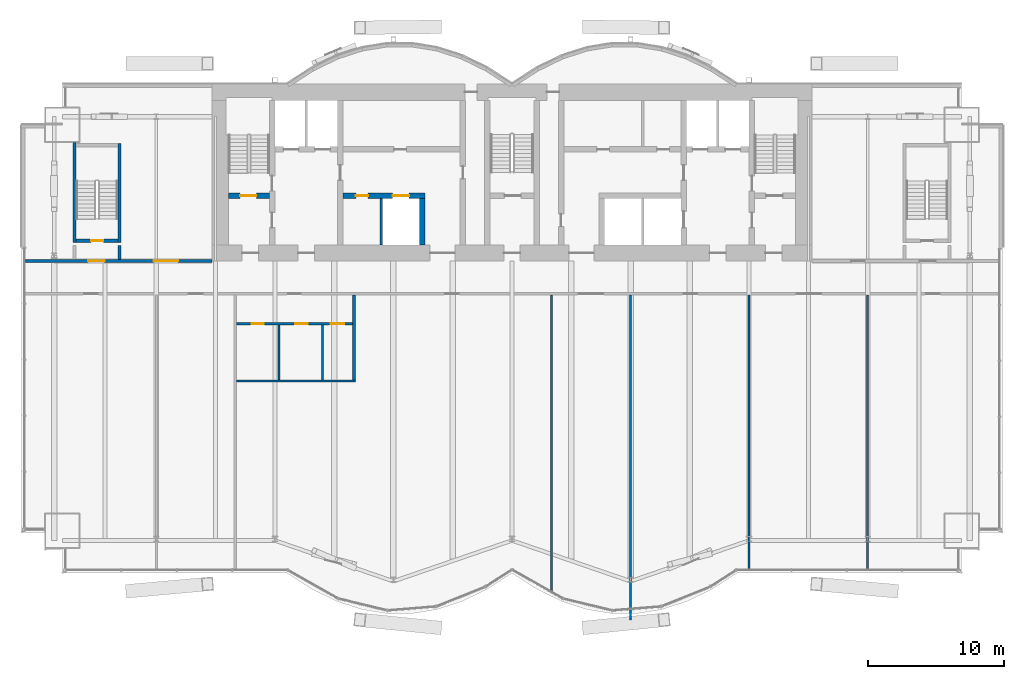
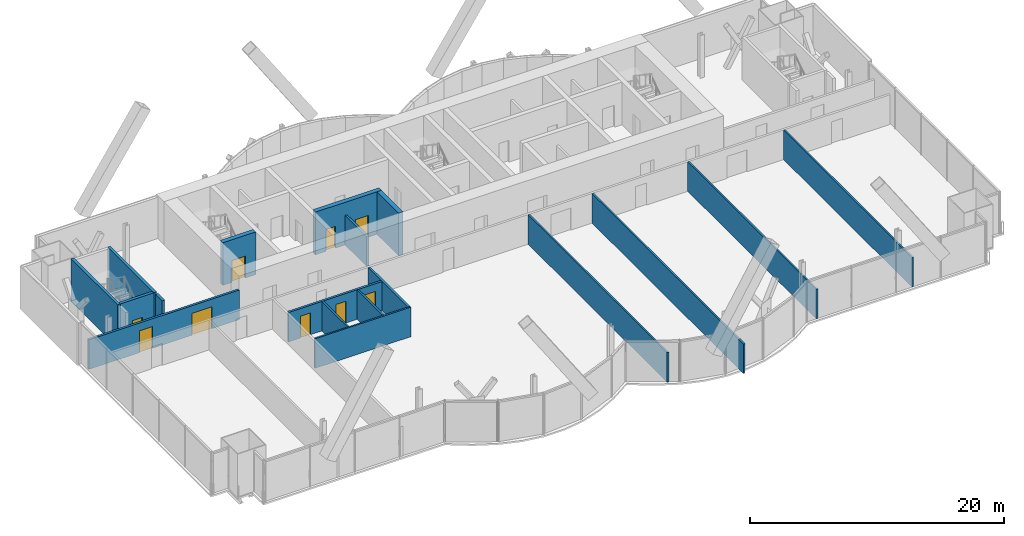
# One storey, part 16 of 22: 18 walls, 9 doors, 9 openings.
"""IFC4 building model written with IfcOpenShell, lengths in metres."""

from ifc_helpers import new_model, si_unit, direction, frame, frame_2d, origin, place, context, subcontext, project, spatial, rectangle, extrude, material, layer, layer_set, type_object, element, fill, save


model = new_model("IFC4")

# Units and contexts
model_context = context("Model", 3, precision=1e-05, world=origin(), true_north=direction((0.0, 1.0)))
body_context = subcontext(model_context, "Body", "Model", "MODEL_VIEW")
ifc_project = project(units=[si_unit("LENGTHUNIT", "METRE"), si_unit("AREAUNIT", "SQUARE_METRE"), si_unit("VOLUMEUNIT", "CUBIC_METRE"), si_unit("PLANEANGLEUNIT", "RADIAN"), si_unit("MASSUNIT", "GRAM", prefix="KILO")], contexts=[model_context])

# Site, building, storey
site_placement = place(None, origin())
site = spatial("IfcSite", under=ifc_project, at=site_placement, CompositionType="ELEMENT")
building_placement = place(site_placement, origin())
building = spatial("IfcBuilding", under=site, at=building_placement, Name="Bicima Exchange Tower", CompositionType="ELEMENT")
storey_placement = place(building_placement, frame((0.0, 0.0, 144.5)))
storey = spatial("IfcBuildingStorey", under=building, at=storey_placement, Name="L31", CompositionType="ELEMENT", Elevation=144.5)

# Wall
ifc_material_1 = material(Name="Gypsum board partition")
ifc_layer_1 = layer(ifc_material_1, 0.199951171875)
ifc_layer_set_1 = layer_set([ifc_layer_1], Name="Gypsum board partition")
wall_type_1 = type_object("IfcWallType", Name="Fire-rated gypsum partition 200 EI120", PredefinedType="PARTITIONING", material=ifc_layer_set_1)
wall_1_placement = place(storey_placement, frame((-9.60009765625, -11.800048828125, 0.0), z_axis=(0.0, 0.0, 1.0), x_axis=(0.0, 1.0, 0.0)))
element("IfcWall", 1, at=wall_1_placement, inside=storey, type_object=wall_type_1, Name="partition wall 11", PredefinedType="PARTITIONING", context=body_context, shape_type="SweptSolid", body=[
    extrude(rectangle(XDim=3.400146484375, YDim=0.199951171875, at=frame_2d((1.7001953125, 0.0))), origin(), (0.0, 0.0, 1.0), 2.84033203125),
])

# Wall, openings, doors
ifc_layer_2 = layer(ifc_material_1, 0.199951171875)
ifc_layer_set_2 = layer_set([ifc_layer_2], Name="Gypsum board partition")
wall_type_2 = type_object("IfcWallType", Name="Fire-rated gypsum partition 200 EI60", PredefinedType="PARTITIONING", material=ifc_layer_set_2)
wall_2_placement = place(storey_placement, frame((-20.199951171875, -17.60009765625, 0.0), z_axis=(0.0, 0.0, 1.0), x_axis=(1.0, 0.0, 0.0)))
wall_2 = element("IfcWall", 2, at=wall_2_placement, inside=storey, type_object=wall_type_2, Name="partition wall 2", PredefinedType="PARTITIONING", context=body_context, shape_type="SweptSolid", body=[
    extrude(rectangle(XDim=8.5, YDim=0.199951171875, at=frame_2d((4.25, 0.0))), origin(), (0.0, 0.0, 1.0), 2.84033203125),
])
opening_1_placement = place(wall_2_placement, frame((1.10009765625, 0.0, 0.0)))
opening_1 = element("IfcOpeningElement", 3, at=opening_1_placement, cuts=wall_2, Name="Opening L31-010", PredefinedType="OPENING", context=body_context, shape_type="SweptSolid", body=[
    extrude(rectangle(XDim=0.89990234375, YDim=2.10009765625, at=frame_2d((0.449951171875, 1.050048828125))), frame((0.0, 0.11181640625, 0.0), z_axis=(0.0, -1.0, 0.0), x_axis=(1.0, 0.0, 0.0)), (0.0, 0.0, 1.0), 0.223876953125),
])
opening_2_placement = place(wall_2_placement, frame((4.300048828125, 0.0, 0.0)))
opening_2 = element("IfcOpeningElement", 4, at=opening_2_placement, cuts=wall_2, Name="Opening L31-011", PredefinedType="OPENING", context=body_context, shape_type="SweptSolid", body=[
    extrude(rectangle(XDim=0.89990234375, YDim=2.10009765625, at=frame_2d((0.449951171875, 1.050048828125))), frame((0.0, 0.11181640625, 0.0), z_axis=(0.0, -1.0, 0.0), x_axis=(1.0, 0.0, 0.0)), (0.0, 0.0, 1.0), 0.223876953125),
])
opening_3_placement = place(wall_2_placement, frame((6.89990234375, 0.0, 0.0)))
opening_3 = element("IfcOpeningElement", 5, at=opening_3_placement, cuts=wall_2, Name="Opening L31-012", PredefinedType="OPENING", context=body_context, shape_type="SweptSolid", body=[
    extrude(rectangle(XDim=1.0, YDim=2.10009765625, at=frame_2d((0.5, 1.050048828125))), frame((0.0, 0.11181640625, 0.0), z_axis=(0.0, -1.0, 0.0), x_axis=(1.0, 0.0, 0.0)), (0.0, 0.0, 1.0), 0.223876953125),
])
ifc_material_2 = material(Name="Steel fire door leaf", Category="steel")
door_type_1 = type_object("IfcDoorType", Name="Door 1000 swing FD30S", OperationType="SINGLE_SWING_LEFT", PredefinedType="DOOR", material=ifc_material_2)
door_1_placement = place(opening_3_placement, frame((1.0, 0.0, 0.0), z_axis=(0.0, 0.0, 1.0), x_axis=(-1.0, 0.0, 0.0)))
door_1 = element("IfcDoor", 6, at=door_1_placement, inside=storey, type_object=door_type_1, Name="Door", OperationType="SINGLE_SWING_RIGHT", OverallHeight=2.10009765625, OverallWidth=1.0, PredefinedType="DOOR", context=body_context, shape_type="SweptSolid", body=[
    extrude(rectangle(XDim=1.0, YDim=2.10009765625, at=frame_2d((0.5, 1.050048828125))), frame((0.0, 0.02490234375, 0.0), z_axis=(0.0, -1.0, 0.0), x_axis=(1.0, 0.0, 0.0)), (0.0, 0.0, 1.0), 0.050048828125),
])
fill(opening_3, door_1)
door_type_2 = type_object("IfcDoorType", Name="Door 900 swing FD30S", OperationType="SINGLE_SWING_LEFT", PredefinedType="DOOR", material=ifc_material_2)
door_2_placement = place(opening_1_placement, frame((0.89990234375, 0.0, 0.0), z_axis=(0.0, 0.0, 1.0), x_axis=(-1.0, 0.0, 0.0)))
door_2 = element("IfcDoor", 7, at=door_2_placement, inside=storey, type_object=door_type_2, Name="Door", OperationType="SINGLE_SWING_LEFT", OverallHeight=2.10009765625, OverallWidth=0.89990234375, PredefinedType="DOOR", context=body_context, shape_type="SweptSolid", body=[
    extrude(rectangle(XDim=0.89990234375, YDim=2.10009765625, at=frame_2d((0.449951171875, 1.050048828125))), frame((0.0, 0.02490234375, 0.0), z_axis=(0.0, -1.0, 0.0), x_axis=(1.0, 0.0, 0.0)), (0.0, 0.0, 1.0), 0.050048828125),
])
fill(opening_1, door_2)
door_3_placement = place(opening_2_placement, frame((0.89990234375, 0.0, 0.0), z_axis=(0.0, 0.0, 1.0), x_axis=(-1.0, 0.0, 0.0)))
door_3 = element("IfcDoor", 8, at=door_3_placement, inside=storey, type_object=door_type_2, Name="Door", OperationType="SINGLE_SWING_RIGHT", OverallHeight=2.10009765625, OverallWidth=0.89990234375, PredefinedType="DOOR", context=body_context, shape_type="SweptSolid", body=[
    extrude(rectangle(XDim=0.89990234375, YDim=2.10009765625, at=frame_2d((0.449951171875, 1.050048828125))), frame((0.0, 0.02490234375, 0.0), z_axis=(0.0, -1.0, 0.0), x_axis=(1.0, 0.0, 0.0)), (0.0, 0.0, 1.0), 0.050048828125),
])
fill(opening_2, door_3)

wall_3_placement = place(storey_placement, frame((-35.679931640625, -13.0, 0.0), z_axis=(0.0, 0.0, 1.0), x_axis=(1.0, 0.0, 0.0)))
wall_3 = element("IfcWall", 9, at=wall_3_placement, inside=storey, type_object=wall_type_2, Name="partition wall 4", PredefinedType="PARTITIONING", context=body_context, shape_type="SweptSolid", body=[
    extrude(rectangle(XDim=13.679931640625, YDim=0.199951171875, at=frame_2d((6.83984375, 0.0))), origin(), (0.0, 0.0, 1.0), 2.84033203125),
])
opening_4_placement = place(wall_3_placement, frame((4.580078125, 0.0, 0.0)))
opening_4 = element("IfcOpeningElement", 10, at=opening_4_placement, cuts=wall_3, Name="Opening L31-001", PredefinedType="OPENING", context=body_context, shape_type="SweptSolid", body=[
    extrude(rectangle(XDim=1.199951171875, YDim=2.10009765625, at=frame_2d((0.60009765625, 1.050048828125))), frame((0.0, 0.11181640625, 0.0), z_axis=(0.0, -1.0, 0.0), x_axis=(1.0, 0.0, 0.0)), (0.0, 0.0, 1.0), 0.223876953125),
])
opening_5_placement = place(wall_3_placement, frame((9.3798828125, 0.0, 0.0)))
opening_5 = element("IfcOpeningElement", 11, at=opening_5_placement, cuts=wall_3, Name="Opening L31-005", PredefinedType="OPENING", context=body_context, shape_type="SweptSolid", body=[
    extrude(rectangle(XDim=1.800048828125, YDim=2.10009765625, at=frame_2d((0.89990234375, 1.050048828125))), frame((0.0, 0.11181640625, 0.0), z_axis=(0.0, -1.0, 0.0), x_axis=(1.0, 0.0, 0.0)), (0.0, 0.0, 1.0), 0.223876953125),
])
door_type_3 = type_object("IfcDoorType", Name="Door 1200 swing FD30S", OperationType="SINGLE_SWING_LEFT", PredefinedType="DOOR", material=ifc_material_2)
door_4_placement = place(opening_4_placement, origin())
door_4 = element("IfcDoor", 12, at=door_4_placement, inside=storey, type_object=door_type_3, Name="Door", OperationType="SINGLE_SWING_LEFT", OverallHeight=2.10009765625, OverallWidth=1.199951171875, PredefinedType="DOOR", context=body_context, shape_type="SweptSolid", body=[
    extrude(rectangle(XDim=1.199951171875, YDim=2.10009765625, at=frame_2d((0.60009765625, 1.050048828125))), frame((0.0, 0.02490234375, 0.0), z_axis=(0.0, -1.0, 0.0), x_axis=(1.0, 0.0, 0.0)), (0.0, 0.0, 1.0), 0.050048828125),
])
fill(opening_4, door_4)
door_type_4 = type_object("IfcDoorType", Name="Door 1800 double swing FD30S", OperationType="DOUBLE_DOOR_SINGLE_SWING", PredefinedType="DOOR", material=ifc_material_2)
door_5_placement = place(opening_5_placement, origin())
door_5 = element("IfcDoor", 13, at=door_5_placement, inside=storey, type_object=door_type_4, Name="Door", OperationType="SINGLE_SWING_LEFT", OverallHeight=2.10009765625, OverallWidth=1.800048828125, PredefinedType="DOOR", context=body_context, shape_type="SweptSolid", body=[
    extrude(rectangle(XDim=1.800048828125, YDim=2.10009765625, at=frame_2d((0.89990234375, 1.050048828125))), frame((0.0, 0.02490234375, 0.0), z_axis=(0.0, -1.0, 0.0), x_axis=(1.0, 0.0, 0.0)), (0.0, 0.0, 1.0), 0.050048828125),
])
fill(opening_5, door_5)

# Walls
wall_4_placement = place(storey_placement, frame((-11.60009765625, -21.72509765625, 0.0), z_axis=(0.0, 0.0, 1.0), x_axis=(0.0, 1.0, 0.0)))
element("IfcWall", 14, at=wall_4_placement, inside=storey, type_object=wall_type_2, Name="partition wall 16", PredefinedType="PARTITIONING", context=body_context, shape_type="SweptSolid", body=[
    extrude(rectangle(XDim=6.22509765625, YDim=0.199951171875, at=frame_2d((3.112548828125, 0.0))), origin(), (0.0, 0.0, 1.0), 2.84033203125),
])
ifc_layer_3 = layer(ifc_material_1, 0.14990234375)
ifc_layer_set_3 = layer_set([ifc_layer_3], Name="Gypsum board partition")
wall_type_3 = type_object("IfcWallType", Name="Gypsum partition 150", PredefinedType="PARTITIONING", material=ifc_layer_set_3)
wall_5_placement = place(storey_placement, frame((-20.199951171875, -21.800048828125, 0.0), z_axis=(0.0, 0.0, 1.0), x_axis=(1.0, 0.0, 0.0)))
element("IfcWall", 15, at=wall_5_placement, inside=storey, type_object=wall_type_3, Name="partition wall 1", PredefinedType="PARTITIONING", context=body_context, shape_type="SweptSolid", body=[
    extrude(rectangle(XDim=8.699951171875, YDim=0.14990234375, at=frame_2d((4.35009765625, 0.0))), origin(), (0.0, 0.0, 1.0), 2.84033203125),
])
for number, where, z_axis, x_axis, name in (
    (16, (-17.10009765625, -21.72509765625, 0.0), (0.0, 0.0, 1.0), (0.0, 1.0, 0.0), "partition wall 14"),
    (17, (-13.89990234375, -21.72509765625, 0.0), (0.0, 0.0, 1.0), (0.0, 1.0, 0.0), "partition wall 15"),
):
    element("IfcWall", number, at=place(storey_placement, frame(where, z_axis=z_axis, x_axis=x_axis)), inside=storey, type_object=wall_type_3, Name=name, PredefinedType="PARTITIONING", context=body_context, shape_type="SweptSolid", body=[
        extrude(rectangle(XDim=4.025146484375, YDim=0.14990234375, at=frame_2d((2.0126953125, 0.0))), origin(), (0.0, 0.0, 1.0), 2.84033203125),
    ])
wall_6_placement = place(storey_placement, frame((2.89990234375, -37.3701171875, 0.0), z_axis=(0.0, 0.0, 1.0), x_axis=(0.0, 1.0, 0.0)))
element("IfcWall", 18, at=wall_6_placement, inside=storey, type_object=wall_type_3, Name="partition wall 17", PredefinedType="PARTITIONING", context=body_context, shape_type="SweptSolid", body=[
    extrude(rectangle(XDim=21.8701171875, YDim=0.14990234375, at=frame_2d((10.93505859375, 0.0))), origin(), (0.0, 0.0, 1.0), 2.84033203125),
])
wall_7_placement = place(storey_placement, frame((8.699951171875, -39.33837890625, 0.0), z_axis=(0.0, 0.0, 1.0), x_axis=(0.0, 1.0, 0.0)))
element("IfcWall", 19, at=wall_7_placement, inside=storey, type_object=wall_type_3, Name="partition wall 18", PredefinedType="PARTITIONING", context=body_context, shape_type="SweptSolid", body=[
    extrude(rectangle(XDim=23.83837890625, YDim=0.14990234375, at=frame_2d((11.919189453125, 0.0))), origin(), (0.0, 0.0, 1.0), 2.84033203125),
])
for number, where, z_axis, x_axis, name in (
    (20, (17.39990234375, -35.68994140625, 0.0), (0.0, 0.0, 1.0), (0.0, 1.0, 0.0), "partition wall 19"),
    (21, (26.10009765625, -35.68994140625, 0.0), (0.0, 0.0, 1.0), (0.0, 1.0, 0.0), "partition wall 20"),
):
    element("IfcWall", number, at=place(storey_placement, frame(where, z_axis=z_axis, x_axis=x_axis)), inside=storey, type_object=wall_type_3, Name=name, PredefinedType="PARTITIONING", context=body_context, shape_type="SweptSolid", body=[
        extrude(rectangle(XDim=20.18994140625, YDim=0.14990234375, at=frame_2d((10.094970703125, 0.0))), origin(), (0.0, 0.0, 1.0), 2.84033203125),
    ])
ifc_material_3 = material(Name="Concrete C50/60", Category="concrete")
ifc_layer_4 = layer(ifc_material_3, 0.25)
ifc_layer_set_4 = layer_set([ifc_layer_4], Name="Concrete C50/60")
wall_type_4 = type_object("IfcWallType", Name="RC core wall 250 C50/60", PredefinedType="SHEAR", material=ifc_layer_set_4)
wall_8_placement = place(storey_placement, frame((-28.800048828125, -12.89990234375, 0.0), z_axis=(0.0, 0.0, 1.0), x_axis=(0.0, 1.0, 0.0)))
element("IfcWall", 22, at=wall_8_placement, inside=storey, type_object=wall_type_4, Name="stair wall 11", PredefinedType="SHEAR", context=body_context, shape_type="SweptSolid", body=[
    extrude(rectangle(XDim=1.0498046875, YDim=0.25, at=frame_2d((0.52490234375, 0.0))), origin(), (0.0, 0.0, 1.0), 4.10009765625),
])

# Wall, opening, door
ifc_layer_5 = layer(ifc_material_3, 0.39990234375)
ifc_layer_set_5 = layer_set([ifc_layer_5], Name="Concrete C50/60")
wall_type_5 = type_object("IfcWallType", Name="RC core wall 400 C50/60", PredefinedType="SHEAR", material=ifc_layer_set_5)
wall_9_placement = place(storey_placement, frame((-20.800048828125, -8.199951171875, 0.0), z_axis=(0.0, 0.0, 1.0), x_axis=(1.0, 0.0, 0.0)))
wall_9 = element("IfcWall", 23, at=wall_9_placement, inside=storey, type_object=wall_type_5, Name="stair wall 1", PredefinedType="SHEAR", context=body_context, shape_type="SweptSolid", body=[
    extrude(rectangle(XDim=3.0, YDim=0.39990234375, at=frame_2d((1.5, 0.0))), origin(), (0.0, 0.0, 1.0), 4.10009765625),
])
opening_6_placement = place(wall_9_placement, frame((0.85009765625, 0.0, 0.0)))
opening_6 = element("IfcOpeningElement", 24, at=opening_6_placement, cuts=wall_9, Name="Opening L31-C01", PredefinedType="OPENING", context=body_context, shape_type="SweptSolid", body=[
    extrude(rectangle(XDim=1.199951171875, YDim=2.10009765625, at=frame_2d((0.60009765625, 1.050048828125))), frame((0.0, 0.2119140625, 0.0), z_axis=(0.0, -1.0, 0.0), x_axis=(1.0, 0.0, 0.0)), (0.0, 0.0, 1.0), 0.423828125),
])
door_type_5 = type_object("IfcDoorType", Name="Door 1200 swing FD60S", OperationType="SINGLE_SWING_LEFT", PredefinedType="DOOR", material=ifc_material_2)
door_6_placement = place(opening_6_placement, origin())
door_6 = element("IfcDoor", 25, at=door_6_placement, inside=storey, type_object=door_type_5, Name="Core door", OperationType="SINGLE_SWING_LEFT", OverallHeight=2.10009765625, OverallWidth=1.199951171875, PredefinedType="DOOR", context=body_context, shape_type="SweptSolid", body=[
    extrude(rectangle(XDim=1.199951171875, YDim=2.10009765625, at=frame_2d((0.60009765625, 1.050048828125))), frame((0.0, 0.02490234375, 0.0), z_axis=(0.0, -1.0, 0.0), x_axis=(1.0, 0.0, 0.0)), (0.0, 0.0, 1.0), 0.050048828125),
])
fill(opening_6, door_6)

# Wall, openings, doors
wall_10_placement = place(storey_placement, frame((-12.39990234375, -8.199951171875, 0.0), z_axis=(0.0, 0.0, 1.0), x_axis=(1.0, 0.0, 0.0)))
wall_10 = element("IfcWall", 26, at=wall_10_placement, inside=storey, type_object=wall_type_5, Name="shear wall 2", PredefinedType="SHEAR", context=body_context, shape_type="SweptSolid", body=[
    extrude(rectangle(XDim=6.0, YDim=0.39990234375, at=frame_2d((3.0, 0.0))), origin(), (0.0, 0.0, 1.0), 4.10009765625),
])
opening_7_placement = place(wall_10_placement, frame((3.64990234375, 0.0, 0.0)))
opening_7 = element("IfcOpeningElement", 27, at=opening_7_placement, cuts=wall_10, Name="Opening LD-MB1-L31", PredefinedType="OPENING", context=body_context, shape_type="SweptSolid", body=[
    extrude(rectangle(XDim=1.199951171875, YDim=2.10009765625, at=frame_2d((0.60009765625, 1.050048828125))), frame((0.0, 0.2119140625, 0.0), z_axis=(0.0, -1.0, 0.0), x_axis=(1.0, 0.0, 0.0)), (0.0, 0.0, 1.0), 0.423828125),
])
opening_8_placement = place(wall_10_placement, frame((0.949951171875, 0.0, 0.0)))
opening_8 = element("IfcOpeningElement", 28, at=opening_8_placement, cuts=wall_10, Name="Opening L31-C15", PredefinedType="OPENING", context=body_context, shape_type="SweptSolid", body=[
    extrude(rectangle(XDim=0.89990234375, YDim=2.10009765625, at=frame_2d((0.449951171875, 1.050048828125))), frame((0.0, 0.2119140625, 0.0), z_axis=(0.0, -1.0, 0.0), x_axis=(1.0, 0.0, 0.0)), (0.0, 0.0, 1.0), 0.423828125),
])
door_7_placement = place(opening_8_placement, frame((0.89990234375, 0.0, 0.0), z_axis=(0.0, 0.0, 1.0), x_axis=(-1.0, 0.0, 0.0)))
door_7 = element("IfcDoor", 29, at=door_7_placement, inside=storey, type_object=door_type_2, Name="Core door", OperationType="SINGLE_SWING_RIGHT", OverallHeight=2.10009765625, OverallWidth=0.89990234375, PredefinedType="DOOR", context=body_context, shape_type="SweptSolid", body=[
    extrude(rectangle(XDim=0.89990234375, YDim=2.10009765625, at=frame_2d((0.449951171875, 1.050048828125))), frame((0.0, 0.02490234375, 0.0), z_axis=(0.0, -1.0, 0.0), x_axis=(1.0, 0.0, 0.0)), (0.0, 0.0, 1.0), 0.050048828125),
])
fill(opening_8, door_7)
ifc_material_4 = material(Name="Stainless steel", Category="steel")
door_type_6 = type_object("IfcDoorType", Name="Lift landing door 1200 sliding", OperationType="DOUBLE_DOOR_SLIDING", PredefinedType="DOOR", material=ifc_material_4)
door_8_placement = place(opening_7_placement, origin())
door_8 = element("IfcDoor", 30, at=door_8_placement, inside=storey, type_object=door_type_6, Name="Lift landing door MB1", OperationType="DOUBLE_DOOR_SLIDING", OverallHeight=2.10009765625, OverallWidth=1.199951171875, PredefinedType="DOOR", context=body_context, shape_type="SweptSolid", body=[
    extrude(rectangle(XDim=1.199951171875, YDim=2.10009765625, at=frame_2d((0.60009765625, 1.050048828125))), frame((0.0, 0.02490234375, 0.0), z_axis=(0.0, -1.0, 0.0), x_axis=(1.0, 0.0, 0.0)), (0.0, 0.0, 1.0), 0.050048828125),
])
fill(opening_7, door_8)

# Walls
wall_11_placement = place(storey_placement, frame((-6.60009765625, -11.800048828125, 0.0), z_axis=(0.0, 0.0, 1.0), x_axis=(0.0, 1.0, 0.0)))
element("IfcWall", 31, at=wall_11_placement, inside=storey, type_object=wall_type_5, Name="shear wall 12", PredefinedType="SHEAR", context=body_context, shape_type="SweptSolid", body=[
    extrude(rectangle(XDim=3.400146484375, YDim=0.39990234375, at=frame_2d((1.7001953125, 0.0))), origin(), (0.0, 0.0, 1.0), 4.10009765625),
])
ifc_layer_6 = layer(ifc_material_3, 0.25)
ifc_layer_set_6 = layer_set([ifc_layer_6], Name="Concrete C50/60")
wall_type_6 = type_object("IfcWallType", Name="RC stair enclosure wall 250 C50/60", PredefinedType="SHEAR", material=ifc_layer_set_6)
wall_12_placement = place(storey_placement, frame((-32.10009765625, -11.625, 0.0), z_axis=(0.0, 0.0, 1.0), x_axis=(0.0, 1.0, 0.0)))
element("IfcWall", 32, at=wall_12_placement, inside=storey, type_object=wall_type_6, Name="West end exit stair wall W", PredefinedType="SHEAR", context=body_context, shape_type="SweptSolid", body=[
    extrude(rectangle(XDim=7.324951171875, YDim=0.25, at=frame_2d((3.66259765625, 0.0))), origin(), (0.0, 0.0, 1.0), 4.10009765625),
])
wall_13_placement = place(storey_placement, frame((-28.800048828125, -11.625, 0.0), z_axis=(0.0, 0.0, 1.0), x_axis=(0.0, 1.0, 0.0)))
element("IfcWall", 33, at=wall_13_placement, inside=storey, type_object=wall_type_6, Name="West end exit stair wall E", PredefinedType="SHEAR", context=body_context, shape_type="SweptSolid", body=[
    extrude(rectangle(XDim=7.25, YDim=0.25, at=frame_2d((3.625, 0.0))), origin(), (0.0, 0.0, 1.0), 4.10009765625),
])

# Wall, opening, door
wall_14_placement = place(storey_placement, frame((-31.97509765625, -11.5, 0.0), z_axis=(0.0, 0.0, 1.0), x_axis=(1.0, 0.0, 0.0)))
wall_14 = element("IfcWall", 34, at=wall_14_placement, inside=storey, type_object=wall_type_6, Name="West end exit stair wall S", PredefinedType="SHEAR", context=body_context, shape_type="SweptSolid", body=[
    extrude(rectangle(XDim=3.050048828125, YDim=0.25, at=frame_2d((1.52490234375, 0.0))), origin(), (0.0, 0.0, 1.0), 4.10009765625),
])
opening_9_placement = place(wall_14_placement, frame((1.10009765625, 0.0, 0.0)))
opening_9 = element("IfcOpeningElement", 35, at=opening_9_placement, cuts=wall_14, Name="Opening L31-002", PredefinedType="OPENING", context=body_context, shape_type="SweptSolid", body=[
    extrude(rectangle(XDim=0.89990234375, YDim=2.10009765625, at=frame_2d((0.449951171875, 1.050048828125))), frame((0.0, 0.136962890625, 0.0), z_axis=(0.0, -1.0, 0.0), x_axis=(1.0, 0.0, 0.0)), (0.0, 0.0, 1.0), 0.27392578125),
])
door_type_7 = type_object("IfcDoorType", Name="Door 900 swing FD60S", OperationType="SINGLE_SWING_LEFT", PredefinedType="DOOR", material=ifc_material_2)
door_9_placement = place(opening_9_placement, origin())
door_9 = element("IfcDoor", 36, at=door_9_placement, inside=storey, type_object=door_type_7, Name="Door", OperationType="SINGLE_SWING_LEFT", OverallHeight=2.10009765625, OverallWidth=0.89990234375, PredefinedType="DOOR", context=body_context, shape_type="SweptSolid", body=[
    extrude(rectangle(XDim=0.89990234375, YDim=2.10009765625, at=frame_2d((0.449951171875, 1.050048828125))), frame((0.0, 0.02490234375, 0.0), z_axis=(0.0, -1.0, 0.0), x_axis=(1.0, 0.0, 0.0)), (0.0, 0.0, 1.0), 0.050048828125),
])
fill(opening_9, door_9)

save(model, "model.ifc")
